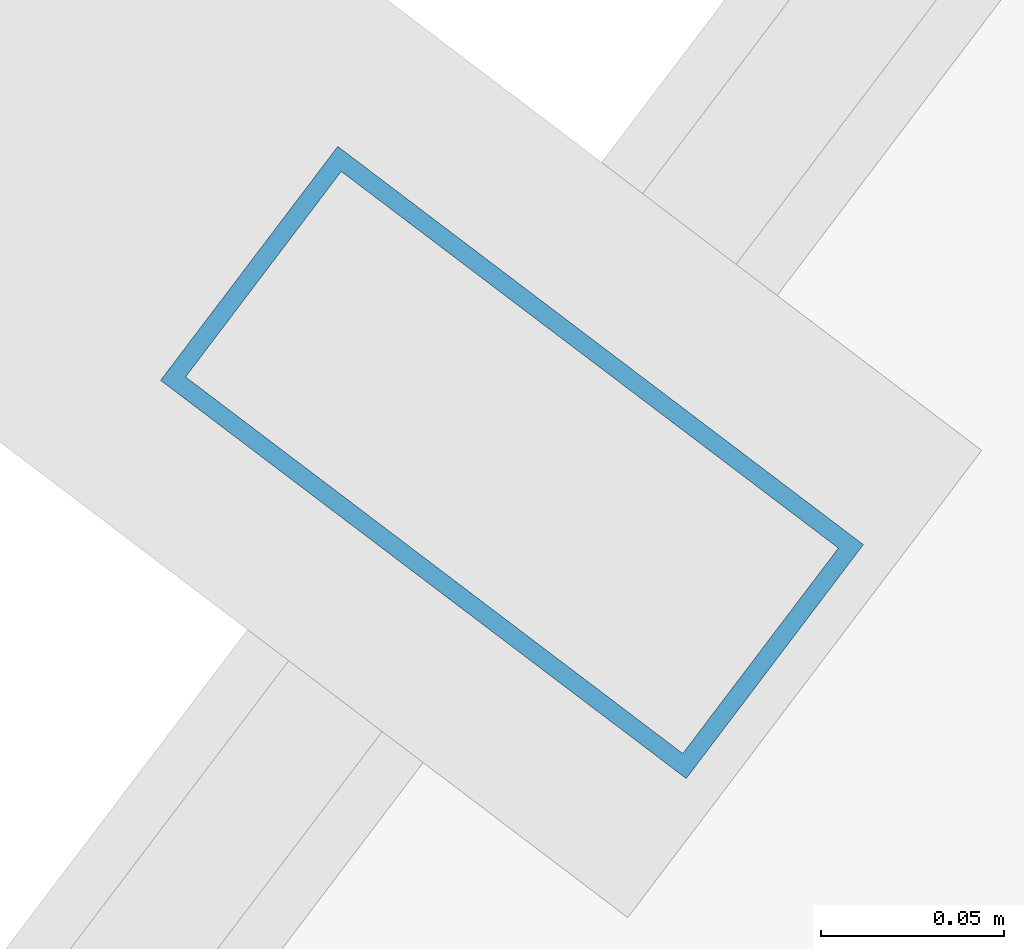
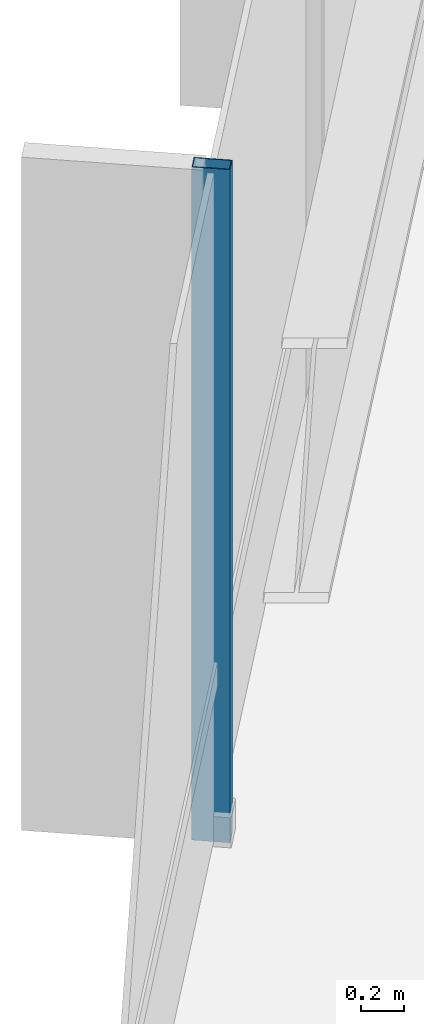
# One storey, part 11 of 26: 1 member, 1 element without a shape of its own.
"""IFC4 building model written with IfcOpenShell, lengths in metres."""

from ifc_helpers import new_model, si_unit, direction, frame, origin, origin_2d, place, context, subcontext, project, spatial, hollow_rectangle, extrude, material, layer, layer_set, material_profile, profile_set, type_object, element, aggregate, save


model = new_model("IFC4")

# Units and contexts
model_context = context("Model", 3, precision=1e-05, world=origin(), true_north=direction((0.0, 1.0)))
body_context = subcontext(model_context, "Body", "Model", "MODEL_VIEW")
ifc_project = project(units=[si_unit("LENGTHUNIT", "METRE"), si_unit("AREAUNIT", "SQUARE_METRE"), si_unit("VOLUMEUNIT", "CUBIC_METRE"), si_unit("PLANEANGLEUNIT", "RADIAN"), si_unit("MASSUNIT", "GRAM", prefix="KILO")], contexts=[model_context])

# Site, building, storey
site_placement = place(None, origin())
site = spatial("IfcSite", under=ifc_project, at=site_placement, CompositionType="ELEMENT")
building_placement = place(site_placement, origin())
building = spatial("IfcBuilding", under=site, at=building_placement, Name="Zarrinselat Tower", CompositionType="ELEMENT")
storey_placement = place(building_placement, frame((0.0, 0.0, 27.5400390625)))
storey = spatial("IfcBuildingStorey", under=building, at=storey_placement, Name="L06", CompositionType="ELEMENT", Elevation=27.5400390625)

# Curtain wall, member
ifc_material_1 = material(Name="Extruded Aluminium Alloy EN AW-6063 T6", Category="aluminium")
ifc_layer = layer(ifc_material_1, 0.18505859375)
ifc_layer_set = layer_set([ifc_layer], Name="Extruded Aluminium Alloy EN AW-6063 T6")
curtain_wall_type = type_object("IfcCurtainWallType", Name="CWS-OFF", PredefinedType="NOTDEFINED", material=ifc_layer_set)
curtain_wall_placement = place(storey_placement, origin())
curtain_wall = element("IfcCurtainWall", 1, at=curtain_wall_placement, inside=storey, type_object=curtain_wall_type, Name="L06 Unitised Curtain Wall CW-L06-E02", PredefinedType="NOTDEFINED")
ifc_material_2 = material(Name="Extruded Aluminium Alloy EN AW-6063 T6", Category="aluminium")
ifc_material_profile = material_profile(ifc_material_2, hollow_rectangle(XDim=0.080078125, YDim=0.179931640625, WallThickness=0.0048828125, at=origin_2d()), Name="RHS 180x80x5")
ifc_profile_set = profile_set([ifc_material_profile], Name="Extruded Aluminium Alloy EN AW-6063 T6")
member_type = type_object("IfcMemberType", Name="MEM-CW-MUL", PredefinedType="MULLION", material=ifc_profile_set)
member_placement = place(storey_placement, frame((22.176025390625, 41.9462890625, 0.0), z_axis=(0.0, 0.0, 1.0), x_axis=(-0.603858715485, -0.797091369752, 0.0)))
member = element("IfcMember", 2, at=member_placement, type_object=member_type, Name="CW-L06-E02 Mullion 5", PredefinedType="MULLION", context=body_context, shape_type="SweptSolid", body=[
    extrude(hollow_rectangle(XDim=0.080078125, YDim=0.179931640625, WallThickness=0.0048828125, at=origin_2d()), origin(), (0.0, 0.0, 1.0), 3.820068359375),
])
aggregate(curtain_wall, [member])

save(model, "model.ifc")
